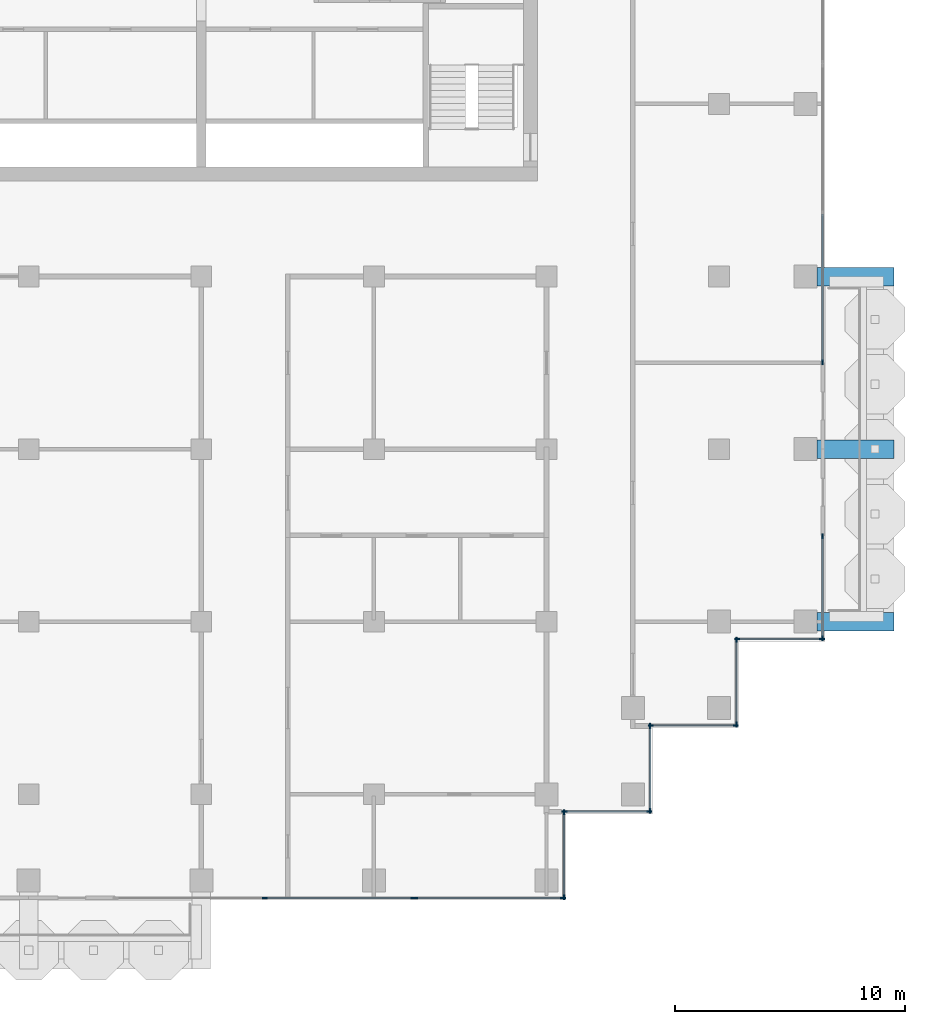
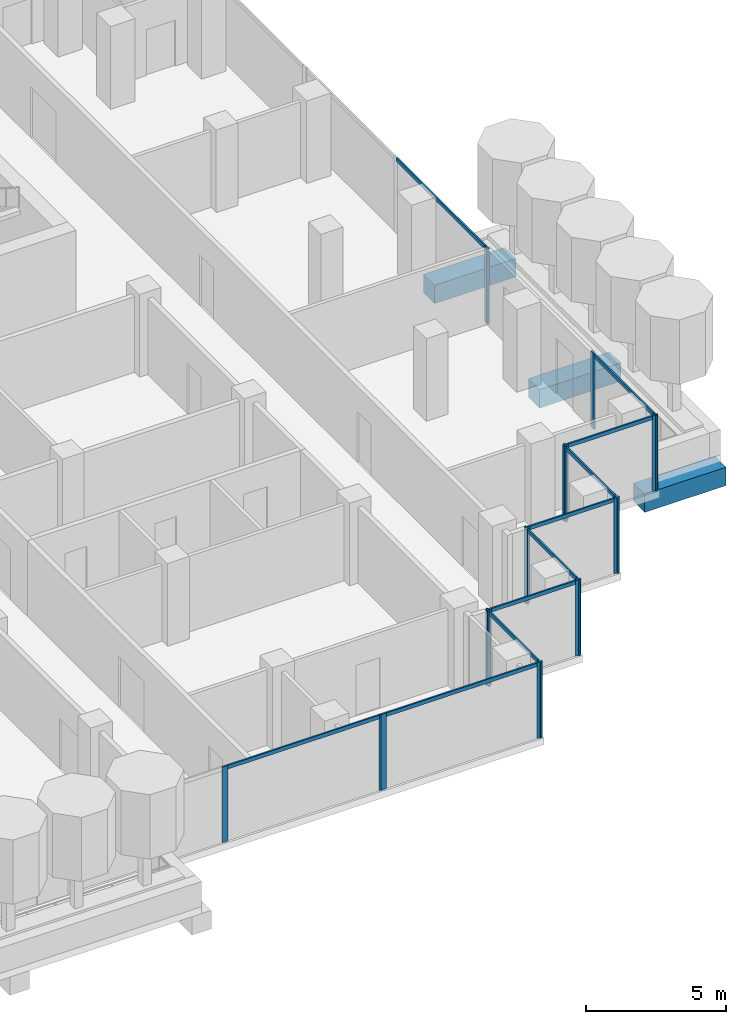
# One storey, part 4 of 18: 29 members, 3 beams, 10 elements without a shape of their own.
"""IFC4 building model written with IfcOpenShell, lengths in metres."""

from ifc_helpers import new_model, si_unit, direction, frame, origin, origin_2d, place, context, subcontext, project, spatial, rectangle, extrude, material, material_profile, profile_set, type_object, element, aggregate, save


model = new_model("IFC4")

# Units and contexts
model_context = context("Model", 3, precision=1e-05, world=origin(), true_north=direction((0.0, 1.0)))
body_context = subcontext(model_context, "Body", "Model", "MODEL_VIEW")
ifc_project = project(units=[si_unit("LENGTHUNIT", "METRE"), si_unit("AREAUNIT", "SQUARE_METRE"), si_unit("VOLUMEUNIT", "CUBIC_METRE"), si_unit("PLANEANGLEUNIT", "RADIAN"), si_unit("MASSUNIT", "GRAM", prefix="KILO")], contexts=[model_context])

# Site, building, storey
site_placement = place(None, origin())
site = spatial("IfcSite", under=ifc_project, at=site_placement, CompositionType="ELEMENT")
building_placement = place(site_placement, origin())
building = spatial("IfcBuilding", under=site, at=building_placement, Name="Pilkhan Gate Tower", CompositionType="ELEMENT")
storey_placement = place(building_placement, frame((0.0, 0.0, 221.10009765625)))
storey = spatial("IfcBuildingStorey", under=building, at=storey_placement, Name="L57", CompositionType="ELEMENT", Elevation=221.10009765625)

# Beams
ifc_material_1 = material(Name="Concrete C50/60", Category="concrete")
ifc_material_profile_1 = material_profile(ifc_material_1, rectangle(XDim=0.800048828125, YDim=0.800048828125, at=origin_2d()), Name="RC 800x800")
ifc_profile_set_1 = profile_set([ifc_material_profile_1], Name="Concrete C50/60")
beam_type = type_object("IfcBeamType", Name="Cantilever beam CB2 RC 800x800 C50/60", PredefinedType="BEAM", material=ifc_profile_set_1)
for number, where, z_axis, x_axis, name in (
    (1, (101.75, 52.5, -0.7001953125), (1.0, 0.0, 0.0), (0.0, 1.0, 0.0), "Balcony beam E.1 L57"),
    (2, (101.75, 60.0, -0.7001953125), (1.0, 0.0, 0.0), (0.0, 1.0, 0.0), "Balcony beam E.2 L57"),
    (3, (101.75, 67.5, -0.7001953125), (1.0, 0.0, 0.0), (0.0, 1.0, 0.0), "Balcony beam E.3 L57"),
):
    element("IfcBeam", number, at=place(storey_placement, frame(where, z_axis=z_axis, x_axis=x_axis)), inside=storey, type_object=beam_type, Name=name, PredefinedType="BEAM", context=body_context, shape_type="SweptSolid", body=[
        extrude(rectangle(XDim=0.800048828125, YDim=0.800048828125, at=origin_2d()), origin(), (0.0, 0.0, 1.0), 3.35009765625),
    ])

# Curtain wall, members
ifc_material_2 = material(Name="Pale anodised aluminium, clear low-iron double glazing", Category="aluminium")
curtain_wall_type = type_object("IfcCurtainWallType", Name="Office unitised curtain wall CW-O2", PredefinedType="USERDEFINED", material=ifc_material_2)
curtain_wall_1_placement = place(storey_placement, origin())
curtain_wall_1 = element("IfcCurtainWall", 4, at=curtain_wall_1_placement, inside=storey, type_object=curtain_wall_type, Name="Office unitised curtain wall CW-O2 L57 E", ObjectType="UNITISED CURTAIN WALL", PredefinedType="USERDEFINED")
ifc_material_3 = material(Name="Pale anodised aluminium", Category="aluminium")
ifc_material_profile_2 = material_profile(ifc_material_3, rectangle(XDim=0.06494140625, YDim=0.22509765625, at=origin_2d()), Name="Mullion 225x65")
ifc_profile_set_2 = profile_set([ifc_material_profile_2], Name="Pale anodised aluminium")
member_type_1 = type_object("IfcMemberType", Name="Mullion CW-O2 225x65", PredefinedType="MULLION", material=ifc_profile_set_2)
member_1_placement = place(storey_placement, frame((102.0, 51.782470703125, 0.0), z_axis=(0.0, 0.0, 1.0), x_axis=(-1.0, 0.0, 0.0)))
member_1 = element("IfcMember", 5, at=member_1_placement, type_object=member_type_1, Name="CW-O2 mullion 1", PredefinedType="MULLION", context=body_context, shape_type="SweptSolid", body=[
    extrude(rectangle(XDim=0.06494140625, YDim=0.22509765625, at=origin_2d()), origin(), (0.0, 0.0, 1.0), 3.2998046875),
])
member_2_placement = place(storey_placement, frame((102.0, 56.217529296875, 0.0), z_axis=(0.0, 0.0, 1.0), x_axis=(-1.0, 0.0, 0.0)))
member_2 = element("IfcMember", 6, at=member_2_placement, type_object=member_type_1, Name="CW-O2 mullion 2", PredefinedType="MULLION", context=body_context, shape_type="SweptSolid", body=[
    extrude(rectangle(XDim=0.06494140625, YDim=0.22509765625, at=origin_2d()), origin(), (0.0, 0.0, 1.0), 3.2998046875),
])

# Curtain wall, member
curtain_wall_2_placement = place(storey_placement, origin())
curtain_wall_2 = element("IfcCurtainWall", 7, at=curtain_wall_2_placement, inside=storey, type_object=curtain_wall_type, Name="Office unitised curtain wall CW-O2 L57 E", ObjectType="UNITISED CURTAIN WALL", PredefinedType="USERDEFINED")
member_3_placement = place(storey_placement, frame((102.0, 63.782470703125, 0.0), z_axis=(0.0, 0.0, 1.0), x_axis=(-1.0, 0.0, 0.0)))
member_3 = element("IfcMember", 8, at=member_3_placement, type_object=member_type_1, Name="CW-O2 mullion 1", PredefinedType="MULLION", context=body_context, shape_type="SweptSolid", body=[
    extrude(rectangle(XDim=0.06494140625, YDim=0.22509765625, at=origin_2d()), origin(), (0.0, 0.0, 1.0), 3.2998046875),
])

# Curtain wall, members
curtain_wall_3_placement = place(storey_placement, origin())
curtain_wall_3 = element("IfcCurtainWall", 9, at=curtain_wall_3_placement, inside=storey, type_object=curtain_wall_type, Name="Office unitised curtain wall CW-O2 L57 S", ObjectType="UNITISED CURTAIN WALL", PredefinedType="USERDEFINED")
member_4_placement = place(storey_placement, frame((77.75, 40.5, 0.0), z_axis=(0.0, 0.0, 1.0), x_axis=(0.0, 1.0, 0.0)))
member_4 = element("IfcMember", 10, at=member_4_placement, type_object=member_type_1, Name="CW-O2 mullion 2", PredefinedType="MULLION", context=body_context, shape_type="SweptSolid", body=[
    extrude(rectangle(XDim=0.06494140625, YDim=0.22509765625, at=origin_2d()), origin(), (0.0, 0.0, 1.0), 3.2998046875),
])
member_5_placement = place(storey_placement, frame((84.217529296875, 40.5, 0.0), z_axis=(0.0, 0.0, 1.0), x_axis=(0.0, 1.0, 0.0)))
member_5 = element("IfcMember", 11, at=member_5_placement, type_object=member_type_1, Name="CW-O2 mullion 3", PredefinedType="MULLION", context=body_context, shape_type="SweptSolid", body=[
    extrude(rectangle(XDim=0.06494140625, YDim=0.22509765625, at=origin_2d()), origin(), (0.0, 0.0, 1.0), 3.2998046875),
])

curtain_wall_4_placement = place(storey_placement, origin())
curtain_wall_4 = element("IfcCurtainWall", 12, at=curtain_wall_4_placement, inside=storey, type_object=curtain_wall_type, Name="Office unitised curtain wall CW-O2 L57 S", ObjectType="UNITISED CURTAIN WALL", PredefinedType="USERDEFINED")
member_6_placement = place(storey_placement, frame((84.282470703125, 40.5, 0.0), z_axis=(0.0, 0.0, 1.0), x_axis=(0.0, 1.0, 0.0)))
member_6 = element("IfcMember", 13, at=member_6_placement, type_object=member_type_1, Name="CW-O2 mullion 1", PredefinedType="MULLION", context=body_context, shape_type="SweptSolid", body=[
    extrude(rectangle(XDim=0.06494140625, YDim=0.22509765625, at=origin_2d()), origin(), (0.0, 0.0, 1.0), 3.2998046875),
])
member_7_placement = place(storey_placement, frame((90.717529296875, 40.5, 0.0), z_axis=(0.0, 0.0, 1.0), x_axis=(0.0, 1.0, 0.0)))
member_7 = element("IfcMember", 14, at=member_7_placement, type_object=member_type_1, Name="CW-O2 mullion 2", PredefinedType="MULLION", context=body_context, shape_type="SweptSolid", body=[
    extrude(rectangle(XDim=0.06494140625, YDim=0.22509765625, at=origin_2d()), origin(), (0.0, 0.0, 1.0), 3.2998046875),
])

curtain_wall_5_placement = place(storey_placement, origin())
curtain_wall_5 = element("IfcCurtainWall", 15, at=curtain_wall_5_placement, inside=storey, type_object=curtain_wall_type, Name="Office unitised curtain wall CW-O2 L57 E", ObjectType="UNITISED CURTAIN WALL", PredefinedType="USERDEFINED")
member_8_placement = place(storey_placement, frame((90.75, 40.532470703125, 0.0), z_axis=(0.0, 0.0, 1.0), x_axis=(-1.0, 0.0, 0.0)))
member_8 = element("IfcMember", 16, at=member_8_placement, type_object=member_type_1, Name="CW-O2 mullion 1", PredefinedType="MULLION", context=body_context, shape_type="SweptSolid", body=[
    extrude(rectangle(XDim=0.06494140625, YDim=0.22509765625, at=origin_2d()), origin(), (0.0, 0.0, 1.0), 3.2998046875),
])
member_9_placement = place(storey_placement, frame((90.75, 44.217529296875, 0.0), z_axis=(0.0, 0.0, 1.0), x_axis=(-1.0, 0.0, 0.0)))
member_9 = element("IfcMember", 17, at=member_9_placement, type_object=member_type_1, Name="CW-O2 mullion 2", PredefinedType="MULLION", context=body_context, shape_type="SweptSolid", body=[
    extrude(rectangle(XDim=0.06494140625, YDim=0.22509765625, at=origin_2d()), origin(), (0.0, 0.0, 1.0), 3.2998046875),
])

curtain_wall_6_placement = place(storey_placement, origin())
curtain_wall_6 = element("IfcCurtainWall", 18, at=curtain_wall_6_placement, inside=storey, type_object=curtain_wall_type, Name="Office unitised curtain wall CW-O2 L57 S", ObjectType="UNITISED CURTAIN WALL", PredefinedType="USERDEFINED")
member_10_placement = place(storey_placement, frame((90.782470703125, 44.25, 0.0), z_axis=(0.0, 0.0, 1.0), x_axis=(0.0, 1.0, 0.0)))
member_10 = element("IfcMember", 19, at=member_10_placement, type_object=member_type_1, Name="CW-O2 mullion 1", PredefinedType="MULLION", context=body_context, shape_type="SweptSolid", body=[
    extrude(rectangle(XDim=0.06494140625, YDim=0.22509765625, at=origin_2d()), origin(), (0.0, 0.0, 1.0), 3.2998046875),
])
member_11_placement = place(storey_placement, frame((94.467529296875, 44.25, 0.0), z_axis=(0.0, 0.0, 1.0), x_axis=(0.0, 1.0, 0.0)))
member_11 = element("IfcMember", 20, at=member_11_placement, type_object=member_type_1, Name="CW-O2 mullion 2", PredefinedType="MULLION", context=body_context, shape_type="SweptSolid", body=[
    extrude(rectangle(XDim=0.06494140625, YDim=0.22509765625, at=origin_2d()), origin(), (0.0, 0.0, 1.0), 3.2998046875),
])

curtain_wall_7_placement = place(storey_placement, origin())
curtain_wall_7 = element("IfcCurtainWall", 21, at=curtain_wall_7_placement, inside=storey, type_object=curtain_wall_type, Name="Office unitised curtain wall CW-O2 L57 E", ObjectType="UNITISED CURTAIN WALL", PredefinedType="USERDEFINED")
member_12_placement = place(storey_placement, frame((94.5, 44.282470703125, 0.0), z_axis=(0.0, 0.0, 1.0), x_axis=(-1.0, 0.0, 0.0)))
member_12 = element("IfcMember", 22, at=member_12_placement, type_object=member_type_1, Name="CW-O2 mullion 1", PredefinedType="MULLION", context=body_context, shape_type="SweptSolid", body=[
    extrude(rectangle(XDim=0.06494140625, YDim=0.22509765625, at=origin_2d()), origin(), (0.0, 0.0, 1.0), 3.2998046875),
])
member_13_placement = place(storey_placement, frame((94.5, 47.967529296875, 0.0), z_axis=(0.0, 0.0, 1.0), x_axis=(-1.0, 0.0, 0.0)))
member_13 = element("IfcMember", 23, at=member_13_placement, type_object=member_type_1, Name="CW-O2 mullion 2", PredefinedType="MULLION", context=body_context, shape_type="SweptSolid", body=[
    extrude(rectangle(XDim=0.06494140625, YDim=0.22509765625, at=origin_2d()), origin(), (0.0, 0.0, 1.0), 3.2998046875),
])

curtain_wall_8_placement = place(storey_placement, origin())
curtain_wall_8 = element("IfcCurtainWall", 24, at=curtain_wall_8_placement, inside=storey, type_object=curtain_wall_type, Name="Office unitised curtain wall CW-O2 L57 S", ObjectType="UNITISED CURTAIN WALL", PredefinedType="USERDEFINED")
member_14_placement = place(storey_placement, frame((94.532470703125, 48.0, 0.0), z_axis=(0.0, 0.0, 1.0), x_axis=(0.0, 1.0, 0.0)))
member_14 = element("IfcMember", 25, at=member_14_placement, type_object=member_type_1, Name="CW-O2 mullion 1", PredefinedType="MULLION", context=body_context, shape_type="SweptSolid", body=[
    extrude(rectangle(XDim=0.06494140625, YDim=0.22509765625, at=origin_2d()), origin(), (0.0, 0.0, 1.0), 3.2998046875),
])
member_15_placement = place(storey_placement, frame((98.217529296875, 48.0, 0.0), z_axis=(0.0, 0.0, 1.0), x_axis=(0.0, 1.0, 0.0)))
member_15 = element("IfcMember", 26, at=member_15_placement, type_object=member_type_1, Name="CW-O2 mullion 2", PredefinedType="MULLION", context=body_context, shape_type="SweptSolid", body=[
    extrude(rectangle(XDim=0.06494140625, YDim=0.22509765625, at=origin_2d()), origin(), (0.0, 0.0, 1.0), 3.2998046875),
])

curtain_wall_9_placement = place(storey_placement, origin())
curtain_wall_9 = element("IfcCurtainWall", 27, at=curtain_wall_9_placement, inside=storey, type_object=curtain_wall_type, Name="Office unitised curtain wall CW-O2 L57 E", ObjectType="UNITISED CURTAIN WALL", PredefinedType="USERDEFINED")
member_16_placement = place(storey_placement, frame((98.25, 48.032470703125, 0.0), z_axis=(0.0, 0.0, 1.0), x_axis=(-1.0, 0.0, 0.0)))
member_16 = element("IfcMember", 28, at=member_16_placement, type_object=member_type_1, Name="CW-O2 mullion 1", PredefinedType="MULLION", context=body_context, shape_type="SweptSolid", body=[
    extrude(rectangle(XDim=0.06494140625, YDim=0.22509765625, at=origin_2d()), origin(), (0.0, 0.0, 1.0), 3.2998046875),
])
member_17_placement = place(storey_placement, frame((98.25, 51.717529296875, 0.0), z_axis=(0.0, 0.0, 1.0), x_axis=(-1.0, 0.0, 0.0)))
member_17 = element("IfcMember", 29, at=member_17_placement, type_object=member_type_1, Name="CW-O2 mullion 2", PredefinedType="MULLION", context=body_context, shape_type="SweptSolid", body=[
    extrude(rectangle(XDim=0.06494140625, YDim=0.22509765625, at=origin_2d()), origin(), (0.0, 0.0, 1.0), 3.2998046875),
])

curtain_wall_10_placement = place(storey_placement, origin())
curtain_wall_10 = element("IfcCurtainWall", 30, at=curtain_wall_10_placement, inside=storey, type_object=curtain_wall_type, Name="Office unitised curtain wall CW-O2 L57 S", ObjectType="UNITISED CURTAIN WALL", PredefinedType="USERDEFINED")
member_18_placement = place(storey_placement, frame((98.282470703125, 51.75, 0.0), z_axis=(0.0, 0.0, 1.0), x_axis=(0.0, 1.0, 0.0)))
member_18 = element("IfcMember", 31, at=member_18_placement, type_object=member_type_1, Name="CW-O2 mullion 1", PredefinedType="MULLION", context=body_context, shape_type="SweptSolid", body=[
    extrude(rectangle(XDim=0.06494140625, YDim=0.22509765625, at=origin_2d()), origin(), (0.0, 0.0, 1.0), 3.2998046875),
])
member_19_placement = place(storey_placement, frame((101.967529296875, 51.75, 0.0), z_axis=(0.0, 0.0, 1.0), x_axis=(0.0, 1.0, 0.0)))
member_19 = element("IfcMember", 32, at=member_19_placement, type_object=member_type_1, Name="CW-O2 mullion 2", PredefinedType="MULLION", context=body_context, shape_type="SweptSolid", body=[
    extrude(rectangle(XDim=0.06494140625, YDim=0.22509765625, at=origin_2d()), origin(), (0.0, 0.0, 1.0), 3.2998046875),
])

# Member
ifc_material_profile_3 = material_profile(ifc_material_3, rectangle(XDim=0.06494140625, YDim=0.1650390625, at=origin_2d()), Name="Transom 165x65")
ifc_profile_set_3 = profile_set([ifc_material_profile_3], Name="Pale anodised aluminium")
member_type_2 = type_object("IfcMemberType", Name="Transom CW-O2 165x65", PredefinedType="USERDEFINED", material=ifc_profile_set_3)
member_20_placement = place(storey_placement, frame((102.0, 51.81494140625, 3.21728515625), z_axis=(0.0, 1.0, 0.0), x_axis=(-1.0, 0.0, 0.0)))
member_20 = element("IfcMember", 33, at=member_20_placement, type_object=member_type_2, Name="CW-O2 transom 1", ObjectType="TRANSOM", PredefinedType="USERDEFINED", context=body_context, shape_type="SweptSolid", body=[
    extrude(rectangle(XDim=0.06494140625, YDim=0.1650390625, at=origin_2d()), origin(), (0.0, 0.0, 1.0), 4.3701171875),
])

aggregate(curtain_wall_1, [member_1, member_2, member_20])

member_21_placement = place(storey_placement, frame((102.0, 63.81494140625, 3.21728515625), z_axis=(0.0, 1.0, 0.0), x_axis=(-1.0, 0.0, 0.0)))
member_21 = element("IfcMember", 34, at=member_21_placement, type_object=member_type_2, Name="CW-O2 transom 1", ObjectType="TRANSOM", PredefinedType="USERDEFINED", context=body_context, shape_type="SweptSolid", body=[
    extrude(rectangle(XDim=0.06494140625, YDim=0.1650390625, at=origin_2d()), origin(), (0.0, 0.0, 1.0), 6.402587890625),
])

aggregate(curtain_wall_2, [member_3, member_21])

member_22_placement = place(storey_placement, frame((77.782470703125, 40.5, 3.21728515625), z_axis=(1.0, 0.0, 0.0), x_axis=(0.0, 1.0, 0.0)))
member_22 = element("IfcMember", 35, at=member_22_placement, type_object=member_type_2, Name="CW-O2 transom 2", ObjectType="TRANSOM", PredefinedType="USERDEFINED", context=body_context, shape_type="SweptSolid", body=[
    extrude(rectangle(XDim=0.06494140625, YDim=0.1650390625, at=origin_2d()), origin(), (0.0, 0.0, 1.0), 6.402587890625),
])

aggregate(curtain_wall_3, [member_4, member_5, member_22])

member_23_placement = place(storey_placement, frame((84.31494140625, 40.5, 3.21728515625), z_axis=(1.0, 0.0, 0.0), x_axis=(0.0, 1.0, 0.0)))
member_23 = element("IfcMember", 36, at=member_23_placement, type_object=member_type_2, Name="CW-O2 transom 1", ObjectType="TRANSOM", PredefinedType="USERDEFINED", context=body_context, shape_type="SweptSolid", body=[
    extrude(rectangle(XDim=0.06494140625, YDim=0.1650390625, at=origin_2d()), origin(), (0.0, 0.0, 1.0), 6.3701171875),
])

aggregate(curtain_wall_4, [member_6, member_7, member_23])

member_24_placement = place(storey_placement, frame((90.75, 40.56494140625, 3.21728515625), z_axis=(0.0, 1.0, 0.0), x_axis=(-1.0, 0.0, 0.0)))
member_24 = element("IfcMember", 37, at=member_24_placement, type_object=member_type_2, Name="CW-O2 transom 1", ObjectType="TRANSOM", PredefinedType="USERDEFINED", context=body_context, shape_type="SweptSolid", body=[
    extrude(rectangle(XDim=0.06494140625, YDim=0.1650390625, at=origin_2d()), origin(), (0.0, 0.0, 1.0), 3.6201171875),
])

aggregate(curtain_wall_5, [member_8, member_9, member_24])

member_25_placement = place(storey_placement, frame((90.81494140625, 44.25, 3.21728515625), z_axis=(1.0, 0.0, 0.0), x_axis=(0.0, 1.0, 0.0)))
member_25 = element("IfcMember", 38, at=member_25_placement, type_object=member_type_2, Name="CW-O2 transom 1", ObjectType="TRANSOM", PredefinedType="USERDEFINED", context=body_context, shape_type="SweptSolid", body=[
    extrude(rectangle(XDim=0.06494140625, YDim=0.1650390625, at=origin_2d()), origin(), (0.0, 0.0, 1.0), 3.6201171875),
])

aggregate(curtain_wall_6, [member_10, member_11, member_25])

member_26_placement = place(storey_placement, frame((94.5, 44.31494140625, 3.21728515625), z_axis=(0.0, 1.0, 0.0), x_axis=(-1.0, 0.0, 0.0)))
member_26 = element("IfcMember", 39, at=member_26_placement, type_object=member_type_2, Name="CW-O2 transom 1", ObjectType="TRANSOM", PredefinedType="USERDEFINED", context=body_context, shape_type="SweptSolid", body=[
    extrude(rectangle(XDim=0.06494140625, YDim=0.1650390625, at=origin_2d()), origin(), (0.0, 0.0, 1.0), 3.6201171875),
])

aggregate(curtain_wall_7, [member_12, member_13, member_26])

member_27_placement = place(storey_placement, frame((94.56494140625, 48.0, 3.21728515625), z_axis=(1.0, 0.0, 0.0), x_axis=(0.0, 1.0, 0.0)))
member_27 = element("IfcMember", 40, at=member_27_placement, type_object=member_type_2, Name="CW-O2 transom 1", ObjectType="TRANSOM", PredefinedType="USERDEFINED", context=body_context, shape_type="SweptSolid", body=[
    extrude(rectangle(XDim=0.06494140625, YDim=0.1650390625, at=origin_2d()), origin(), (0.0, 0.0, 1.0), 3.6201171875),
])

aggregate(curtain_wall_8, [member_14, member_15, member_27])

member_28_placement = place(storey_placement, frame((98.25, 48.06494140625, 3.21728515625), z_axis=(0.0, 1.0, 0.0), x_axis=(-1.0, 0.0, 0.0)))
member_28 = element("IfcMember", 41, at=member_28_placement, type_object=member_type_2, Name="CW-O2 transom 1", ObjectType="TRANSOM", PredefinedType="USERDEFINED", context=body_context, shape_type="SweptSolid", body=[
    extrude(rectangle(XDim=0.06494140625, YDim=0.1650390625, at=origin_2d()), origin(), (0.0, 0.0, 1.0), 3.6201171875),
])

aggregate(curtain_wall_9, [member_16, member_17, member_28])

member_29_placement = place(storey_placement, frame((98.31494140625, 51.75, 3.21728515625), z_axis=(1.0, 0.0, 0.0), x_axis=(0.0, 1.0, 0.0)))
member_29 = element("IfcMember", 42, at=member_29_placement, type_object=member_type_2, Name="CW-O2 transom 1", ObjectType="TRANSOM", PredefinedType="USERDEFINED", context=body_context, shape_type="SweptSolid", body=[
    extrude(rectangle(XDim=0.06494140625, YDim=0.1650390625, at=origin_2d()), origin(), (0.0, 0.0, 1.0), 3.6201171875),
])

aggregate(curtain_wall_10, [member_18, member_19, member_29])

save(model, "model.ifc")
